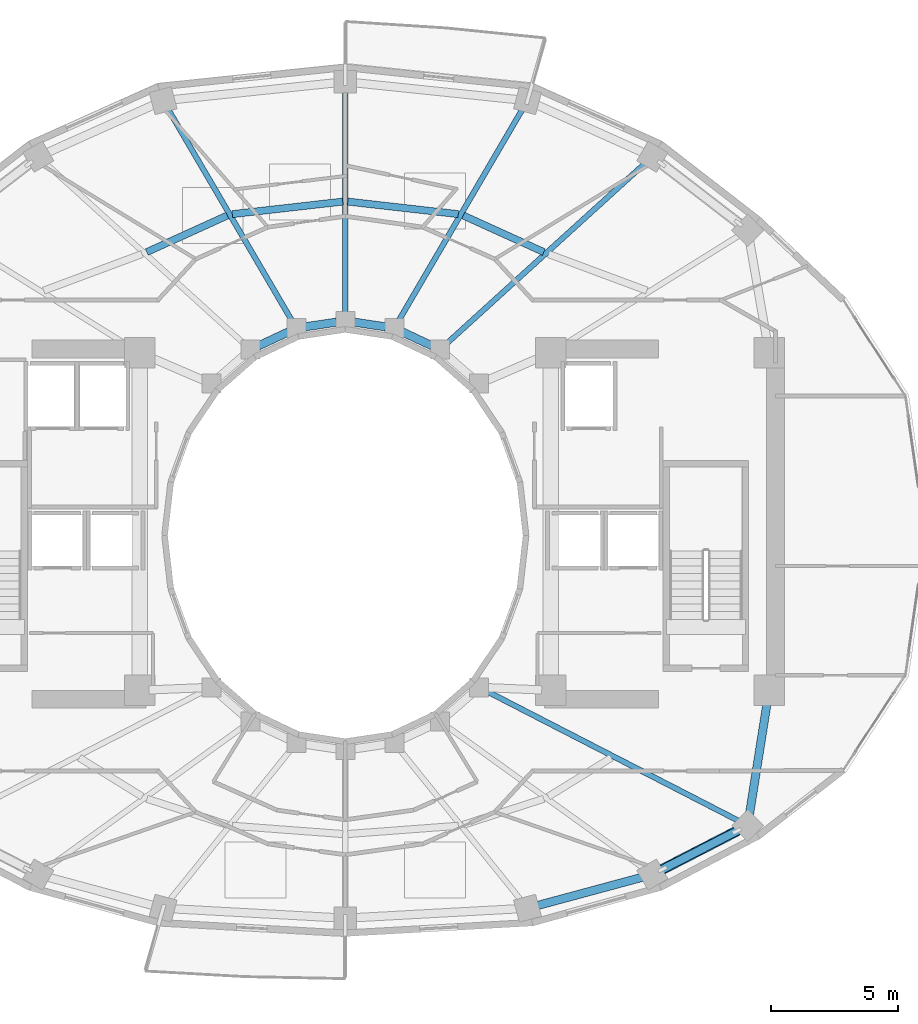
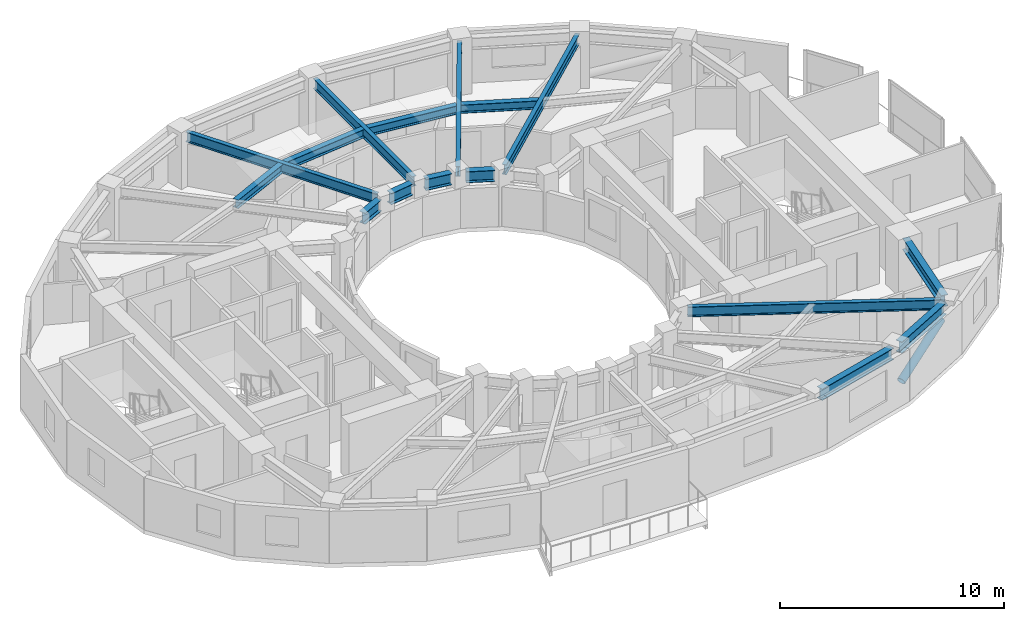
# One storey, part 2 of 13: 16 beams, 1 member.
"""IFC4 building model written with IfcOpenShell, lengths in metres."""

from ifc_helpers import new_model, si_unit, direction, frame, origin, origin_2d, place, context, subcontext, project, spatial, hollow_circle, i_section, extrude, material, material_profile, profile_set, type_object, element, save


model = new_model("IFC4")

# Units and contexts
model_context = context("Model", 3, precision=1e-05, world=origin(), true_north=direction((0.0, 1.0)))
body_context = subcontext(model_context, "Body", "Model", "MODEL_VIEW")
ifc_project = project(units=[si_unit("LENGTHUNIT", "METRE"), si_unit("AREAUNIT", "SQUARE_METRE"), si_unit("VOLUMEUNIT", "CUBIC_METRE"), si_unit("PLANEANGLEUNIT", "RADIAN"), si_unit("MASSUNIT", "GRAM", prefix="KILO")], contexts=[model_context])

# Site, building, storey
site_placement = place(None, origin())
site = spatial("IfcSite", under=ifc_project, at=site_placement, CompositionType="ELEMENT")
building_placement = place(site_placement, origin())
building = spatial("IfcBuilding", under=site, at=building_placement, Name="Solvane Sanctuary Tower", CompositionType="ELEMENT")
storey_placement = place(building_placement, frame((0.0, 0.0, 156.0)))
storey = spatial("IfcBuildingStorey", under=building, at=storey_placement, Name="L47", CompositionType="ELEMENT", Elevation=156.0)

# Beams
ifc_material = material(Name="Steel ASTM A992 Grade 50", Category="steel")
ifc_material_profile_1 = material_profile(ifc_material, i_section(OverallWidth=0.214111328125, OverallDepth=0.549072265625, WebThickness=0.0146484375, FlangeThickness=0.023681640625, FilletRadius=0.014892578125, at=origin_2d()), Name="W21X93")
ifc_profile_set_1 = profile_set([ifc_material_profile_1], Name="Steel ASTM A992 Grade 50")
beam_type_1 = type_object("IfcBeamType", Name="Beam B-RAD-Z3 W21X93", PredefinedType="JOIST", material=ifc_profile_set_1)
beam_1_placement = place(storey_placement, frame((35.937255859375, 30.514892578125, 2.603515625), z_axis=(0.74020423772, 0.672382098558, 0.0), x_axis=(-0.672382098558, 0.74020423772, 0.0)))
element("IfcBeam", 1, at=beam_1_placement, inside=storey, type_object=beam_type_1, Name="L47 Radial Composite Floor Beam 02", PredefinedType="JOIST", context=body_context, shape_type="SweptSolid", body=[
    extrude(i_section(OverallWidth=0.214111328125, OverallDepth=0.549072265625, WebThickness=0.0146484375, FlangeThickness=0.023681640625, FilletRadius=0.014892578125, at=origin_2d()), origin(), (0.0, 0.0, 1.0), 10.7451171875),
])
beam_2_placement = place(storey_placement, frame((34.072265625, 31.413330078125, 2.603515625), z_axis=(0.505243742555, 0.862976686017, 0.0), x_axis=(-0.862976686017, 0.505243742555, 0.0)))
element("IfcBeam", 2, at=beam_2_placement, inside=storey, type_object=beam_type_1, Name="L47 Radial Composite Floor Beam 03", PredefinedType="JOIST", context=body_context, shape_type="SweptSolid", body=[
    extrude(i_section(OverallWidth=0.214111328125, OverallDepth=0.549072265625, WebThickness=0.0146484375, FlangeThickness=0.023681640625, FilletRadius=0.014892578125, at=origin_2d()), origin(), (0.0, 0.0, 1.0), 9.826171875),
])
beam_3_placement = place(storey_placement, frame((32.0, 31.739990234375, 2.603515625), z_axis=(0.0, 1.0, 0.0), x_axis=(-1.0, 0.0, 0.0)))
element("IfcBeam", 3, at=beam_3_placement, inside=storey, type_object=beam_type_1, Name="L47 Radial Composite Floor Beam 04", PredefinedType="JOIST", context=body_context, shape_type="SweptSolid", body=[
    extrude(i_section(OverallWidth=0.214111328125, OverallDepth=0.549072265625, WebThickness=0.0146484375, FlangeThickness=0.023681640625, FilletRadius=0.014892578125, at=origin_2d()), origin(), (0.0, 0.0, 1.0), 8.860107421875),
])
beam_4_placement = place(storey_placement, frame((29.927734375, 31.413330078125, 2.603515625), z_axis=(-0.505243742555, 0.862976686017, 0.0), x_axis=(-0.862976686017, -0.505243742555, 0.0)))
element("IfcBeam", 4, at=beam_4_placement, inside=storey, type_object=beam_type_1, Name="L47 Radial Composite Floor Beam 05", PredefinedType="JOIST", context=body_context, shape_type="SweptSolid", body=[
    extrude(i_section(OverallWidth=0.214111328125, OverallDepth=0.549072265625, WebThickness=0.0146484375, FlangeThickness=0.023681640625, FilletRadius=0.014892578125, at=origin_2d()), origin(), (0.0, 0.0, 1.0), 9.826171875),
])
beam_5_placement = place(storey_placement, frame((37.52392578125, 16.889892578125, 2.603515625), z_axis=(0.889204980299, -0.457509019595, 0.0), x_axis=(0.457509019595, 0.889204980299, 0.0)))
element("IfcBeam", 5, at=beam_5_placement, inside=storey, type_object=beam_type_1, Name="L47 Radial Composite Floor Beam 14", PredefinedType="JOIST", context=body_context, shape_type="SweptSolid", body=[
    extrude(i_section(OverallWidth=0.214111328125, OverallDepth=0.549072265625, WebThickness=0.0146484375, FlangeThickness=0.023681640625, FilletRadius=0.014892578125, at=origin_2d()), origin(), (0.0, 0.0, 1.0), 11.340087890625),
])
ifc_material_profile_2 = material_profile(ifc_material, i_section(OverallWidth=0.324951171875, OverallDepth=0.615966796875, WebThickness=0.013916015625, FlangeThickness=0.021484375, FilletRadius=0.01611328125, at=origin_2d()), Name="W24X117")
ifc_profile_set_2 = profile_set([ifc_material_profile_2], Name="Steel ASTM A992 Grade 50")
beam_type_2 = type_object("IfcBeamType", Name="Beam B-RING-IN2 W24X117", PredefinedType="BEAM", material=ifc_profile_set_2)
beam_6_placement = place(storey_placement, frame((28.582275390625, 30.473388671875, 2.570068359375), z_axis=(0.9051808128, 0.425026700502, 0.0), x_axis=(-0.425026700502, 0.9051808128, 0.0)))
element("IfcBeam", 6, at=beam_6_placement, inside=storey, type_object=beam_type_2, Name="L47 Inner Light-Well Ring Beam IC06-IC05", PredefinedType="BEAM", context=body_context, shape_type="SweptSolid", body=[
    extrude(i_section(OverallWidth=0.324951171875, OverallDepth=0.615966796875, WebThickness=0.013916015625, FlangeThickness=0.021484375, FilletRadius=0.01611328125, at=origin_2d()), origin(), (0.0, 0.0, 1.0), 1.297607421875),
])
for number, where, z_axis, x_axis, name in (
    (7, (30.410400390625, 31.22265625, 2.570068359375), (0.989019905763, 0.147782360259, 0.0), (-0.147782360259, 0.989019905763, 0.0), "L47 Inner Light-Well Ring Beam IC05-IC04"),
    (8, (32.34130859375, 31.4091796875, 2.570068359375), (0.989019905763, -0.147782360259, 0.0), (0.147782360259, 0.989019905763, 0.0), "L47 Inner Light-Well Ring Beam IC04-IC03"),
):
    element("IfcBeam", number, at=place(storey_placement, frame(where, z_axis=z_axis, x_axis=x_axis)), inside=storey, type_object=beam_type_2, Name=name, PredefinedType="BEAM", context=body_context, shape_type="SweptSolid", body=[
        extrude(i_section(OverallWidth=0.324951171875, OverallDepth=0.615966796875, WebThickness=0.013916015625, FlangeThickness=0.021484375, FilletRadius=0.01611328125, at=origin_2d()), origin(), (0.0, 0.0, 1.0), 1.26220703125),
    ])
beam_7_placement = place(storey_placement, frame((34.2431640625, 31.02490234375, 2.570068359375), z_axis=(0.9051808128, -0.425026700502, 0.0), x_axis=(0.425026700502, 0.9051808128, 0.0)))
element("IfcBeam", 9, at=beam_7_placement, inside=storey, type_object=beam_type_2, Name="L47 Inner Light-Well Ring Beam IC03-IC02", PredefinedType="BEAM", context=body_context, shape_type="SweptSolid", body=[
    extrude(i_section(OverallWidth=0.324951171875, OverallDepth=0.615966796875, WebThickness=0.013916015625, FlangeThickness=0.021484375, FilletRadius=0.01611328125, at=origin_2d()), origin(), (0.0, 0.0, 1.0), 1.297607421875),
])
ifc_material_profile_3 = material_profile(ifc_material, i_section(OverallWidth=0.280029296875, OverallDepth=0.462890625, WebThickness=0.0107421875, FlangeThickness=0.017333984375, FilletRadius=0.013916015625, at=origin_2d()), Name="W18X76")
ifc_profile_set_3 = profile_set([ifc_material_profile_3], Name="Steel ASTM A992 Grade 50")
beam_type_3 = type_object("IfcBeamType", Name="Beam B-SEC-JOIST W18X76", PredefinedType="JOIST", material=ifc_profile_set_3)
beam_8_placement = place(storey_placement, frame((24.178955078125, 34.16943359375, 2.646484375), z_axis=(0.910488773031, 0.413533788443, 0.0), x_axis=(-0.413533788443, 0.910488773031, 0.0)))
element("IfcBeam", 10, at=beam_8_placement, inside=storey, type_object=beam_type_3, Name="L47 Secondary Circumferential Joist 06-05", PredefinedType="JOIST", context=body_context, shape_type="SweptSolid", body=[
    extrude(i_section(OverallWidth=0.280029296875, OverallDepth=0.462890625, WebThickness=0.0107421875, FlangeThickness=0.017333984375, FilletRadius=0.013916015625, at=origin_2d()), origin(), (0.0, 0.0, 1.0), 3.485595703125),
])
for number, where, z_axis, x_axis, name in (
    (11, (27.546875, 35.66455078125, 2.646484375), (0.993621305354, 0.112768353477, 0.0), (-0.112768353477, 0.993621305354, 0.0), "L47 Secondary Circumferential Joist 05-04"),
    (12, (32.101318359375, 36.158447265625, 2.646484375), (0.993621305354, -0.112768353477, 0.0), (0.112768353477, 0.993621305354, 0.0), "L47 Secondary Circumferential Joist 04-03"),
):
    element("IfcBeam", number, at=place(storey_placement, frame(where, z_axis=z_axis, x_axis=x_axis)), inside=storey, type_object=beam_type_3, Name=name, PredefinedType="JOIST", context=body_context, shape_type="SweptSolid", body=[
        extrude(i_section(OverallWidth=0.280029296875, OverallDepth=0.462890625, WebThickness=0.0107421875, FlangeThickness=0.017333984375, FilletRadius=0.013916015625, at=origin_2d()), origin(), (0.0, 0.0, 1.0), 4.379638671875),
    ])
beam_9_placement = place(storey_placement, frame((36.6474609375, 35.61083984375, 2.646484375), z_axis=(0.91050074995, -0.413507417516, 0.0), x_axis=(0.413507417516, 0.91050074995, 0.0)))
element("IfcBeam", 13, at=beam_9_placement, inside=storey, type_object=beam_type_3, Name="L47 Secondary Circumferential Joist 03-02", PredefinedType="JOIST", context=body_context, shape_type="SweptSolid", body=[
    extrude(i_section(OverallWidth=0.280029296875, OverallDepth=0.462890625, WebThickness=0.0107421875, FlangeThickness=0.017333984375, FilletRadius=0.013916015625, at=origin_2d()), origin(), (0.0, 0.0, 1.0), 3.48583984375),
])
ifc_material_profile_4 = material_profile(ifc_material, i_section(OverallWidth=0.327880859375, OverallDepth=0.6279296875, WebThickness=0.0166015625, FlangeThickness=0.027587890625, FilletRadius=0.01611328125, at=origin_2d()), Name="W24X146")
ifc_profile_set_4 = profile_set([ifc_material_profile_4], Name="Steel ASTM A992 Grade 50")
beam_type_4 = type_object("IfcBeamType", Name="Beam B-SPAND-Z3 W24X146", PredefinedType="SPANDREL", material=ifc_profile_set_4)
beam_10_placement = place(storey_placement, frame((39.448486328125, 8.38623046875, 2.56396484375), z_axis=(0.965473224565, 0.260502308334, 0.0), x_axis=(-0.260502308334, 0.965473224565, 0.0)))
element("IfcBeam", 14, at=beam_10_placement, inside=storey, type_object=beam_type_4, Name="L47 Perimeter Spandrel Beam TC12-TC13", PredefinedType="SPANDREL", context=body_context, shape_type="SweptSolid", body=[
    extrude(i_section(OverallWidth=0.327880859375, OverallDepth=0.6279296875, WebThickness=0.0166015625, FlangeThickness=0.027587890625, FilletRadius=0.01611328125, at=origin_2d()), origin(), (0.0, 0.0, 1.0), 4.535888671875),
])
beam_11_placement = place(storey_placement, frame((44.34716796875, 9.768798828125, 2.56396484375), z_axis=(0.889295540094, 0.457332966632, 0.0), x_axis=(-0.457332966632, 0.889295540094, 0.0)))
element("IfcBeam", 15, at=beam_11_placement, inside=storey, type_object=beam_type_4, Name="L47 Perimeter Spandrel Beam TC13-TC14", PredefinedType="SPANDREL", context=body_context, shape_type="SweptSolid", body=[
    extrude(i_section(OverallWidth=0.327880859375, OverallDepth=0.6279296875, WebThickness=0.0166015625, FlangeThickness=0.027587890625, FilletRadius=0.01611328125, at=origin_2d()), origin(), (0.0, 0.0, 1.0), 3.66650390625),
])
beam_12_placement = place(storey_placement, frame((47.900390625, 11.85009765625, 2.56396484375), z_axis=(0.156406167317, 0.987692822099, 0.0), x_axis=(-0.987692822099, 0.156406167317, 0.0)))
element("IfcBeam", 16, at=beam_12_placement, inside=storey, type_object=beam_type_4, Name="L47 Perimeter Spandrel Beam TC14-CE2", PredefinedType="SPANDREL", context=body_context, shape_type="SweptSolid", body=[
    extrude(i_section(OverallWidth=0.327880859375, OverallDepth=0.6279296875, WebThickness=0.0166015625, FlangeThickness=0.027587890625, FilletRadius=0.01611328125, at=origin_2d()), origin(), (0.0, 0.0, 1.0), 4.832763671875),
])

# Member
ifc_material_profile_5 = material_profile(ifc_material, hollow_circle(Radius=0.202880859375, WallThickness=0.012451171875, at=origin_2d()), Name="CHS406X12.5")
ifc_profile_set_5 = profile_set([ifc_material_profile_5], Name="Steel ASTM A992 Grade 50")
member_type = type_object("IfcMemberType", Name="Member M-TUBE-Z3 CHS406X12.5", PredefinedType="BRACE", material=ifc_profile_set_5)
member_placement = place(storey_placement, frame((44.5068359375, 9.850830078125, 0.58349609375), z_axis=(0.813251703989, 0.418247617111, 0.404586945834), x_axis=(-0.457351371069, 0.889286075108, 0.0)))
element("IfcMember", 17, at=member_placement, inside=storey, type_object=member_type, Name="L47 Perimeter Braced-Tube Diagonal SE", PredefinedType="BRACE", context=body_context, shape_type="SweptSolid", body=[
    extrude(hollow_circle(Radius=0.202880859375, WallThickness=0.012451171875, at=origin_2d()), origin(), (0.0, 0.0, 1.0), 3.59228515625),
])

save(model, "model.ifc")
